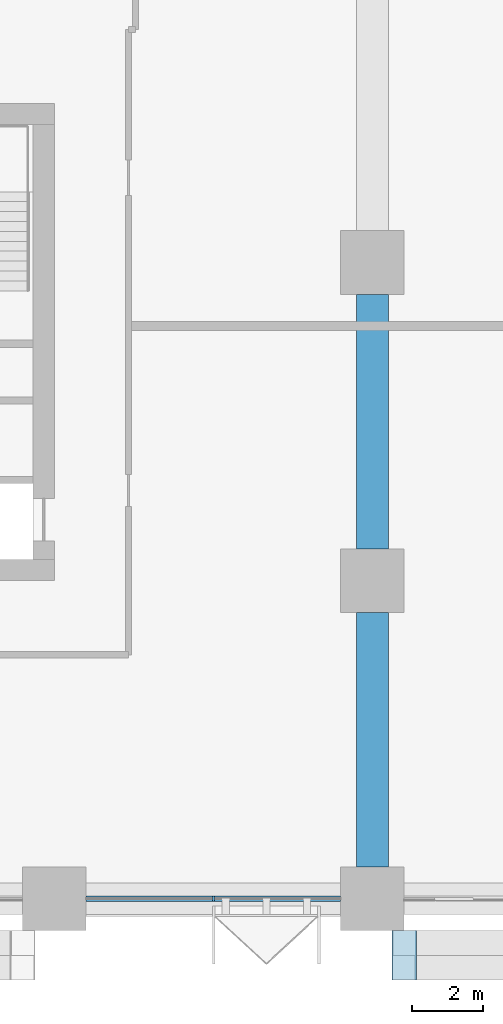
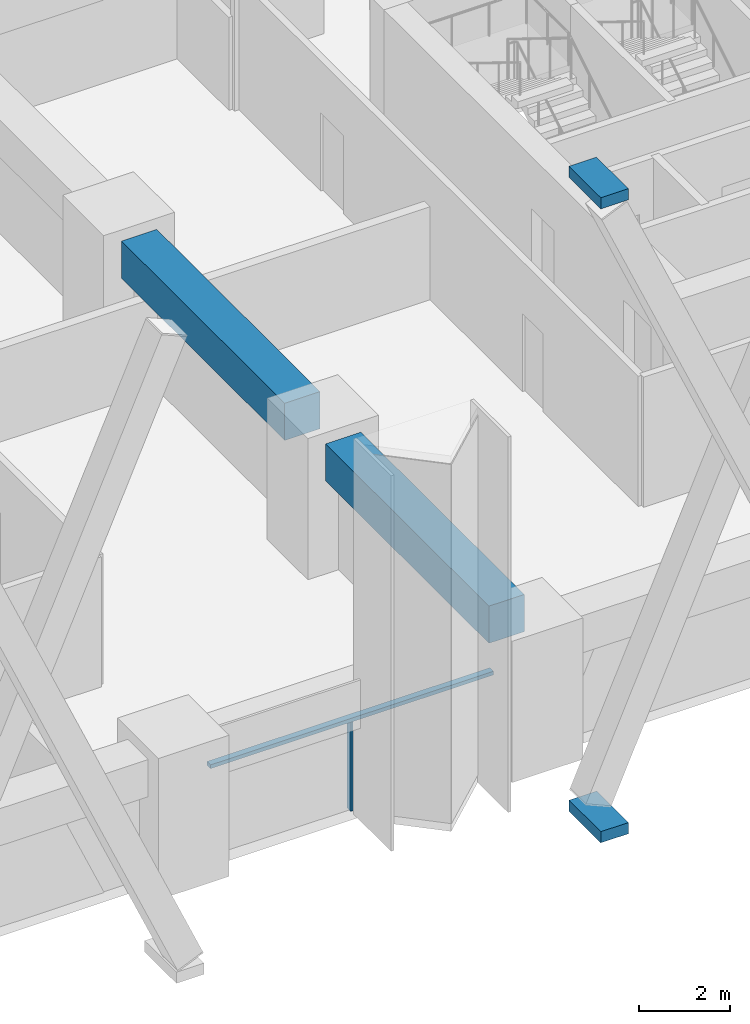
# One storey, part 3 of 24: 4 members, 2 beams, 1 element without a shape of its own.
"""IFC4 building model written with IfcOpenShell, lengths in metres."""

from ifc_helpers import new_model, si_unit, direction, frame, origin, origin_2d, place, context, subcontext, project, spatial, rectangle, extrude, material, layer, layer_set, material_profile, profile_set, type_object, element, aggregate, save


model = new_model("IFC4")

# Units and contexts
model_context = context("Model", 3, precision=1e-05, world=origin(), true_north=direction((0.0, 1.0)))
body_context = subcontext(model_context, "Body", "Model", "MODEL_VIEW")
ifc_project = project(units=[si_unit("LENGTHUNIT", "METRE"), si_unit("AREAUNIT", "SQUARE_METRE"), si_unit("VOLUMEUNIT", "CUBIC_METRE"), si_unit("PLANEANGLEUNIT", "RADIAN"), si_unit("MASSUNIT", "GRAM", prefix="KILO")], contexts=[model_context])

# Site, building, storey
site_placement = place(None, origin())
site = spatial("IfcSite", under=ifc_project, at=site_placement, CompositionType="ELEMENT")
building_placement = place(site_placement, origin())
building = spatial("IfcBuilding", under=site, at=building_placement, Name="Tessera Arch", CompositionType="ELEMENT")
storey_placement = place(building_placement, frame((0.0, 0.0, 61.39990234375)))
storey = spatial("IfcBuildingStorey", under=building, at=storey_placement, Name="L13", CompositionType="ELEMENT", Elevation=61.39990234375)

# Curtain wall, members
ifc_material_1 = material(Name="CW1 curtain wall")
curtain_wall_type = type_object("IfcCurtainWallType", Name="CW1 curtain wall", PredefinedType="NOTDEFINED", material=ifc_material_1)
curtain_wall_placement = place(storey_placement, origin())
curtain_wall = element("IfcCurtainWall", 1, at=curtain_wall_placement, inside=storey, type_object=curtain_wall_type, Name="CW1 curtain wall S0.0/1 L13", PredefinedType="NOTDEFINED")
ifc_material_2 = material(Name="Anodised aluminium pale metal", Category="aluminium")
ifc_material_profile_1 = material_profile(ifc_material_2, rectangle(XDim=0.159912109375, YDim=0.06005859375, at=origin_2d()), Name="AL 60x160")
ifc_profile_set_1 = profile_set([ifc_material_profile_1], Name="Anodised aluminium pale metal")
member_type_1 = type_object("IfcMemberType", Name="CW1 mullion", PredefinedType="MULLION", material=ifc_profile_set_1)
member_1_placement = place(storey_placement, frame((22.5, 0.0, 0.0), z_axis=(0.0, 0.0, 1.0), x_axis=(0.0, 1.0, 0.0)))
member_1 = element("IfcMember", 2, at=member_1_placement, type_object=member_type_1, Name="CW1 mullion S0.0/1 1", PredefinedType="MULLION", context=body_context, shape_type="SweptSolid", body=[
    extrude(rectangle(XDim=0.159912109375, YDim=0.06005859375, at=origin_2d()), origin(), (0.0, 0.0, 1.0), 2.400146484375),
])
ifc_material_3 = material(Name="Anodised aluminium pale metal", Category="aluminium")
ifc_material_profile_2 = material_profile(ifc_material_3, rectangle(XDim=0.159912109375, YDim=0.10009765625, at=origin_2d()), Name="AL 160x100")
ifc_profile_set_2 = profile_set([ifc_material_profile_2], Name="Anodised aluminium pale metal")
member_type_2 = type_object("IfcMemberType", Name="CW1 transom", PredefinedType="USERDEFINED", material=ifc_profile_set_2)
member_2_placement = place(storey_placement, frame((18.89990234375, 0.0, 2.4501953125), z_axis=(1.0, 0.0, 0.0), x_axis=(0.0, 1.0, 0.0)))
member_2 = element("IfcMember", 3, at=member_2_placement, type_object=member_type_2, Name="CW1 transom S0.0/1 1.1", ObjectType="TRANSOM", PredefinedType="USERDEFINED", context=body_context, shape_type="SweptSolid", body=[
    extrude(rectangle(XDim=0.159912109375, YDim=0.10009765625, at=origin_2d()), origin(), (0.0, 0.0, 1.0), 7.2001953125),
])
aggregate(curtain_wall, [member_1, member_2])

# Members
ifc_material_4 = material(Name="Steel A572 Gr50", Category="steel")
ifc_layer = layer(ifc_material_4, 0.050048828125)
ifc_layer_set = layer_set([ifc_layer], Name="Node block Steel A572 Gr50")
member_type_3 = type_object("IfcMemberType", Name="Node block Steel A572 Gr50", PredefinedType="PLATE", material=ifc_layer_set)
for number, where, z_axis, x_axis, name in (
    (4, (27.89990234375, -1.60009765625, -1.27734375), (0.0, 0.0, 1.0), (1.0, 0.0, 0.0), "Node block seat S0.0-2 2 L13"),
    (5, (27.89990234375, -1.60009765625, 15.77734375), (0.0, 0.0, 1.0), (1.0, 0.0, 0.0), "Node block head S0.0-2 B L13"),
):
    element("IfcMember", number, at=place(storey_placement, frame(where, z_axis=z_axis, x_axis=x_axis)), inside=storey, type_object=member_type_3, Name=name, PredefinedType="PLATE", context=body_context, shape_type="SweptSolid", body=[
        extrude(rectangle(XDim=0.699951171875, YDim=1.39990234375, at=origin_2d()), origin(), (0.0, 0.0, 1.0), 0.300048828125),
    ])

# Beams
ifc_material_5 = material(Name="Concrete C80/95", Category="concrete")
ifc_material_profile_3 = material_profile(ifc_material_5, rectangle(XDim=0.89990234375, YDim=1.0, at=origin_2d()), Name="RC spandrel beam 900 x 1000 Concrete C80/95")
ifc_profile_set_3 = profile_set([ifc_material_profile_3], Name="Concrete C80/95")
beam_type = type_object("IfcBeamType", Name="RC spandrel beam 900 x 1000 Concrete C80/95", PredefinedType="BEAM", material=ifc_profile_set_3)
for number, where, z_axis, x_axis, name in (
    (6, (27.0, 0.89990234375, 3.0), (0.0, 1.0, 0.0), (-1.0, 0.0, 0.0), "Interface beam L13 I0C4A-C4B"),
    (7, (27.0, 9.89990234375, 3.0), (0.0, 1.0, 0.0), (-1.0, 0.0, 0.0), "Interface beam L13 I0C4B-C4C"),
):
    element("IfcBeam", number, at=place(storey_placement, frame(where, z_axis=z_axis, x_axis=x_axis)), inside=storey, type_object=beam_type, Name=name, PredefinedType="BEAM", context=body_context, shape_type="SweptSolid", body=[
        extrude(rectangle(XDim=0.89990234375, YDim=1.0, at=origin_2d()), origin(), (0.0, 0.0, 1.0), 7.2001953125),
    ])

save(model, "model.ifc")
